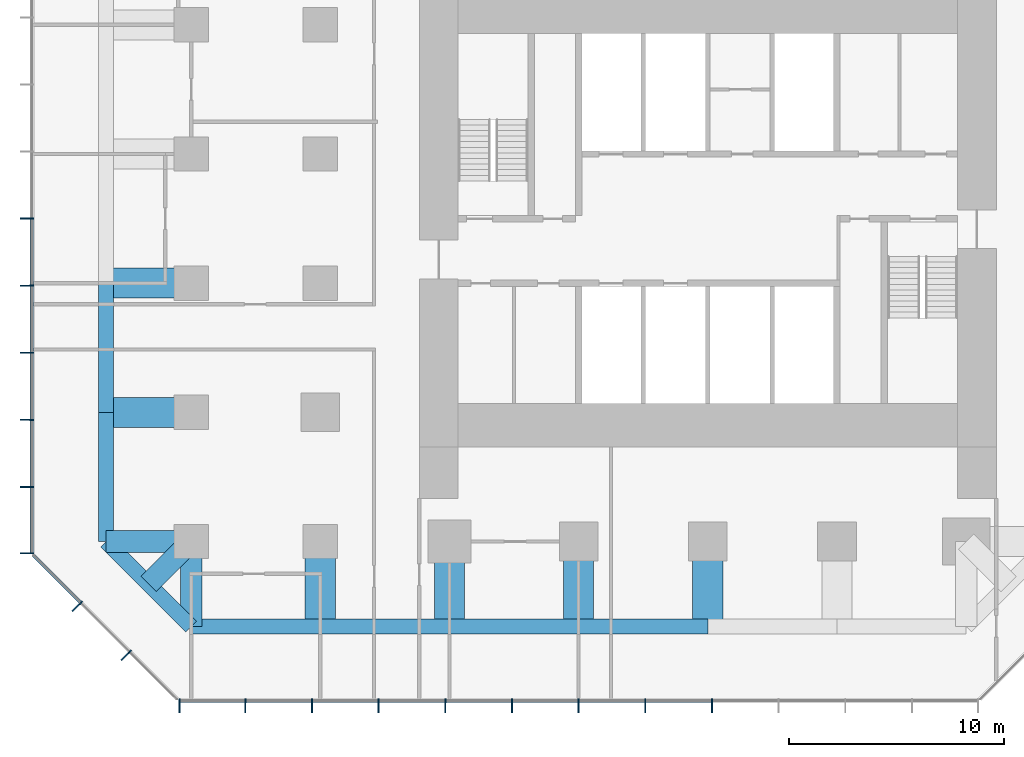
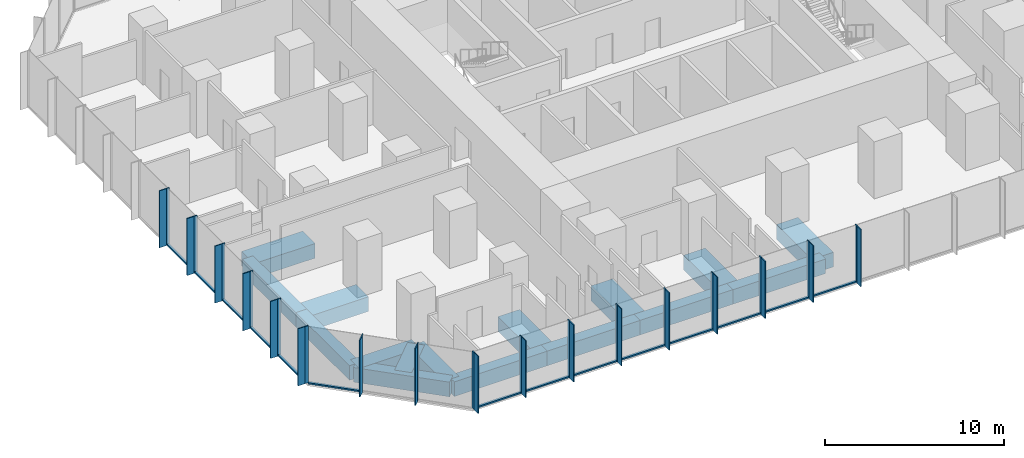
# One storey, part 2 of 11: 48 members, 16 beams, 3 elements without a shape of their own.
"""IFC4 building model written with IfcOpenShell, lengths in metres."""

from ifc_helpers import new_model, si_unit, direction, frame, origin, origin_2d, place, context, subcontext, project, spatial, rectangle, extrude, material, layer, layer_set, material_profile, profile_set, type_object, element, aggregate, save


model = new_model("IFC4")

# Units and contexts
model_context = context("Model", 3, precision=1e-05, world=origin(), true_north=direction((0.0, 1.0)))
body_context = subcontext(model_context, "Body", "Model", "MODEL_VIEW")
ifc_project = project(units=[si_unit("LENGTHUNIT", "METRE"), si_unit("AREAUNIT", "SQUARE_METRE"), si_unit("VOLUMEUNIT", "CUBIC_METRE"), si_unit("PLANEANGLEUNIT", "RADIAN"), si_unit("MASSUNIT", "GRAM", prefix="KILO")], contexts=[model_context])

# Site, building, storey
site_placement = place(None, origin())
site = spatial("IfcSite", under=ifc_project, at=site_placement, CompositionType="ELEMENT")
building_placement = place(site_placement, origin())
building = spatial("IfcBuilding", under=site, at=building_placement, Name="Highveld Stack Headquarters", CompositionType="ELEMENT")
storey_placement = place(building_placement, frame((0.0, 0.0, 132.800048828125)))
storey = spatial("IfcBuildingStorey", under=building, at=storey_placement, Name="L32", CompositionType="ELEMENT", Elevation=132.800048828125)

# Beams
ifc_material_1 = material(Name="Concrete C60/75", Category="concrete")
ifc_material_profile_1 = material_profile(ifc_material_1, rectangle(XDim=1.0, YDim=1.0, at=origin_2d()), Name="RC 1000x1000")
ifc_profile_set_1 = profile_set([ifc_material_profile_1], Name="Concrete C60/75")
beam_type_1 = type_object("IfcBeamType", Name="CANTILEVER RIB RC 1000x1000", PredefinedType="USERDEFINED", material=ifc_profile_set_1)
for number, where, z_axis, x_axis, name in (
    (1, (-18.0, -12.0, -0.75), (-1.0, 0.0, 0.0), (0.0, -1.0, 0.0), "Cantilever rib 3/C L32"),
    (2, (-18.0, -12.0, -0.75), (0.0, -1.0, 0.0), (1.0, 0.0, 0.0), "Cantilever rib 3/C L32"),
):
    element("IfcBeam", number, at=place(storey_placement, frame(where, z_axis=z_axis, x_axis=x_axis)), inside=storey, type_object=beam_type_1, Name=name, ObjectType="CANTILEVER RIB", PredefinedType="USERDEFINED", context=body_context, shape_type="SweptSolid", body=[
        extrude(rectangle(XDim=1.0, YDim=1.0, at=origin_2d()), origin(), (0.0, 0.0, 1.0), 3.949951171875),
    ])
beam_1_placement = place(storey_placement, frame((-18.0, -12.0, -0.75), z_axis=(-0.707106781187, -0.707106781187, 0.0), x_axis=(0.707106781187, -0.707106781187, 0.0)))
element("IfcBeam", 3, at=beam_1_placement, inside=storey, type_object=beam_type_1, Name="Cantilever rib 3/C L32", ObjectType="CANTILEVER RIB", PredefinedType="USERDEFINED", context=body_context, shape_type="SweptSolid", body=[
    extrude(rectangle(XDim=1.0, YDim=1.0, at=origin_2d()), origin(), (0.0, 0.0, 1.0), 2.793212890625),
])
ifc_material_2 = material(Name="Concrete C60/75", Category="concrete")
ifc_material_profile_2 = material_profile(ifc_material_2, rectangle(XDim=1.39990234375, YDim=1.0, at=origin_2d()), Name="RC 1400x1000")
ifc_profile_set_2 = profile_set([ifc_material_profile_2], Name="Concrete C60/75")
beam_type_2 = type_object("IfcBeamType", Name="CANTILEVER RIB RC 1400x1000", PredefinedType="USERDEFINED", material=ifc_profile_set_2)
for number, where, z_axis, x_axis, name in (
    (4, (-18.0, -6.0, -0.75), (-1.0, 0.0, 0.0), (0.0, -1.0, 0.0), "Cantilever rib 3/D L32"),
    (5, (-18.0, 0.0, -0.75), (-1.0, 0.0, 0.0), (0.0, -1.0, 0.0), "Cantilever rib 3/E L32"),
    (6, (-12.0, -12.0, -0.75), (0.0, -1.0, 0.0), (1.0, 0.0, 0.0), "Cantilever rib 4/C L32"),
    (7, (-6.0, -12.0, -0.75), (0.0, -1.0, 0.0), (1.0, 0.0, 0.0), "Cantilever rib 5/C L32"),
    (8, (0.0, -12.0, -0.75), (0.0, -1.0, 0.0), (1.0, 0.0, 0.0), "Cantilever rib 6/C L32"),
    (9, (6.0, -12.0, -0.75), (0.0, -1.0, 0.0), (1.0, 0.0, 0.0), "Cantilever rib 7/C L32"),
):
    element("IfcBeam", number, at=place(storey_placement, frame(where, z_axis=z_axis, x_axis=x_axis)), inside=storey, type_object=beam_type_2, Name=name, ObjectType="CANTILEVER RIB", PredefinedType="USERDEFINED", context=body_context, shape_type="SweptSolid", body=[
        extrude(rectangle(XDim=1.39990234375, YDim=1.0, at=origin_2d()), origin(), (0.0, 0.0, 1.0), 3.949951171875),
    ])

# Curtain wall, members
ifc_material_3 = material(Name="Aluminium bronze anodised", Category="aluminium")
ifc_layer_1 = layer(ifc_material_3, 0.199951171875)
ifc_layer_set_1 = layer_set([ifc_layer_1], Name="Aluminium bronze anodised")
curtain_wall_type_1 = type_object("IfcCurtainWallType", Name="CW1 TOWER UNITISED CURTAIN WALL", PredefinedType="NOTDEFINED", material=ifc_layer_set_1)
curtain_wall_1_placement = place(storey_placement, origin())
curtain_wall_1 = element("IfcCurtainWall", 10, at=curtain_wall_1_placement, inside=storey, type_object=curtain_wall_type_1, Name="Curtain wall CW1 L32 S", PredefinedType="NOTDEFINED")
ifc_material_4 = material(Name="Aluminium bronze anodised", Category="aluminium")
ifc_material_profile_3 = material_profile(ifc_material_4, rectangle(XDim=0.449951171875, YDim=0.06005859375, at=origin_2d()), Name="FIN 450x60")
ifc_profile_set_3 = profile_set([ifc_material_profile_3], Name="Aluminium bronze anodised")
member_type_1 = type_object("IfcMemberType", Name="CW1 BRONZE FIN 450x60", PredefinedType="USERDEFINED", material=ifc_profile_set_3)
member_1_placement = place(storey_placement, frame((-18.54736328125, -19.72509765625, 0.0), z_axis=(0.0, 0.0, 1.0), x_axis=(0.0, 1.0, 0.0)))
member_1 = element("IfcMember", 11, at=member_1_placement, type_object=member_type_1, Name="CW1 fin L32 1", ObjectType="FIN", PredefinedType="USERDEFINED", context=body_context, shape_type="SweptSolid", body=[
    extrude(rectangle(XDim=0.449951171875, YDim=0.06005859375, at=origin_2d()), origin(), (0.0, 0.0, 1.0), 3.89990234375),
])
member_2_placement = place(storey_placement, frame((-15.483154296875, -19.72509765625, 0.0), z_axis=(0.0, 0.0, 1.0), x_axis=(0.0, 1.0, 0.0)))
member_2 = element("IfcMember", 12, at=member_2_placement, type_object=member_type_1, Name="CW1 fin L32 2", ObjectType="FIN", PredefinedType="USERDEFINED", context=body_context, shape_type="SweptSolid", body=[
    extrude(rectangle(XDim=0.449951171875, YDim=0.06005859375, at=origin_2d()), origin(), (0.0, 0.0, 1.0), 3.89990234375),
])
member_3_placement = place(storey_placement, frame((-12.38671875, -19.72509765625, 0.0), z_axis=(0.0, 0.0, 1.0), x_axis=(0.0, 1.0, 0.0)))
member_3 = element("IfcMember", 13, at=member_3_placement, type_object=member_type_1, Name="CW1 fin L32 3", ObjectType="FIN", PredefinedType="USERDEFINED", context=body_context, shape_type="SweptSolid", body=[
    extrude(rectangle(XDim=0.449951171875, YDim=0.06005859375, at=origin_2d()), origin(), (0.0, 0.0, 1.0), 3.89990234375),
])
member_4_placement = place(storey_placement, frame((-9.289794921875, -19.72509765625, 0.0), z_axis=(0.0, 0.0, 1.0), x_axis=(0.0, 1.0, 0.0)))
member_4 = element("IfcMember", 14, at=member_4_placement, type_object=member_type_1, Name="CW1 fin L32 4", ObjectType="FIN", PredefinedType="USERDEFINED", context=body_context, shape_type="SweptSolid", body=[
    extrude(rectangle(XDim=0.449951171875, YDim=0.06005859375, at=origin_2d()), origin(), (0.0, 0.0, 1.0), 3.89990234375),
])
member_5_placement = place(storey_placement, frame((-6.193359375, -19.72509765625, 0.0), z_axis=(0.0, 0.0, 1.0), x_axis=(0.0, 1.0, 0.0)))
member_5 = element("IfcMember", 15, at=member_5_placement, type_object=member_type_1, Name="CW1 fin L32 5", ObjectType="FIN", PredefinedType="USERDEFINED", context=body_context, shape_type="SweptSolid", body=[
    extrude(rectangle(XDim=0.449951171875, YDim=0.06005859375, at=origin_2d()), origin(), (0.0, 0.0, 1.0), 3.89990234375),
])
member_6_placement = place(storey_placement, frame((-3.0966796875, -19.72509765625, 0.0), z_axis=(0.0, 0.0, 1.0), x_axis=(0.0, 1.0, 0.0)))
member_6 = element("IfcMember", 16, at=member_6_placement, type_object=member_type_1, Name="CW1 fin L32 6", ObjectType="FIN", PredefinedType="USERDEFINED", context=body_context, shape_type="SweptSolid", body=[
    extrude(rectangle(XDim=0.449951171875, YDim=0.06005859375, at=origin_2d()), origin(), (0.0, 0.0, 1.0), 3.89990234375),
])
member_7_placement = place(storey_placement, frame((0.0, -19.72509765625, 0.0), z_axis=(0.0, 0.0, 1.0), x_axis=(0.0, 1.0, 0.0)))
member_7 = element("IfcMember", 17, at=member_7_placement, type_object=member_type_1, Name="CW1 fin L32 7", ObjectType="FIN", PredefinedType="USERDEFINED", context=body_context, shape_type="SweptSolid", body=[
    extrude(rectangle(XDim=0.449951171875, YDim=0.06005859375, at=origin_2d()), origin(), (0.0, 0.0, 1.0), 3.89990234375),
])
member_8_placement = place(storey_placement, frame((3.0966796875, -19.72509765625, 0.0), z_axis=(0.0, 0.0, 1.0), x_axis=(0.0, 1.0, 0.0)))
member_8 = element("IfcMember", 18, at=member_8_placement, type_object=member_type_1, Name="CW1 fin L32 8", ObjectType="FIN", PredefinedType="USERDEFINED", context=body_context, shape_type="SweptSolid", body=[
    extrude(rectangle(XDim=0.449951171875, YDim=0.06005859375, at=origin_2d()), origin(), (0.0, 0.0, 1.0), 3.89990234375),
])
member_9_placement = place(storey_placement, frame((6.193359375, -19.72509765625, 0.0), z_axis=(0.0, 0.0, 1.0), x_axis=(0.0, 1.0, 0.0)))
member_9 = element("IfcMember", 19, at=member_9_placement, type_object=member_type_1, Name="CW1 fin L32 9", ObjectType="FIN", PredefinedType="USERDEFINED", context=body_context, shape_type="SweptSolid", body=[
    extrude(rectangle(XDim=0.449951171875, YDim=0.06005859375, at=origin_2d()), origin(), (0.0, 0.0, 1.0), 3.89990234375),
])

curtain_wall_2_placement = place(storey_placement, origin())
curtain_wall_2 = element("IfcCurtainWall", 20, at=curtain_wall_2_placement, inside=storey, type_object=curtain_wall_type_1, Name="Curtain wall CW1 L32 W", PredefinedType="NOTDEFINED")
member_10_placement = place(storey_placement, frame((-25.72509765625, 3.0, 0.0), z_axis=(0.0, 0.0, 1.0), x_axis=(1.0, 0.0, 0.0)))
member_10 = element("IfcMember", 21, at=member_10_placement, type_object=member_type_1, Name="CW1 fin L32 6", ObjectType="FIN", PredefinedType="USERDEFINED", context=body_context, shape_type="SweptSolid", body=[
    extrude(rectangle(XDim=0.449951171875, YDim=0.06005859375, at=origin_2d()), origin(), (0.0, 0.0, 1.0), 3.89990234375),
])
member_11_placement = place(storey_placement, frame((-25.72509765625, -0.115966796875, 0.0), z_axis=(0.0, 0.0, 1.0), x_axis=(1.0, 0.0, 0.0)))
member_11 = element("IfcMember", 22, at=member_11_placement, type_object=member_type_1, Name="CW1 fin L32 7", ObjectType="FIN", PredefinedType="USERDEFINED", context=body_context, shape_type="SweptSolid", body=[
    extrude(rectangle(XDim=0.449951171875, YDim=0.06005859375, at=origin_2d()), origin(), (0.0, 0.0, 1.0), 3.89990234375),
])
member_12_placement = place(storey_placement, frame((-25.72509765625, -3.23193359375, 0.0), z_axis=(0.0, 0.0, 1.0), x_axis=(1.0, 0.0, 0.0)))
member_12 = element("IfcMember", 23, at=member_12_placement, type_object=member_type_1, Name="CW1 fin L32 8", ObjectType="FIN", PredefinedType="USERDEFINED", context=body_context, shape_type="SweptSolid", body=[
    extrude(rectangle(XDim=0.449951171875, YDim=0.06005859375, at=origin_2d()), origin(), (0.0, 0.0, 1.0), 3.89990234375),
])
member_13_placement = place(storey_placement, frame((-25.72509765625, -6.347900390625, 0.0), z_axis=(0.0, 0.0, 1.0), x_axis=(1.0, 0.0, 0.0)))
member_13 = element("IfcMember", 24, at=member_13_placement, type_object=member_type_1, Name="CW1 fin L32 9", ObjectType="FIN", PredefinedType="USERDEFINED", context=body_context, shape_type="SweptSolid", body=[
    extrude(rectangle(XDim=0.449951171875, YDim=0.06005859375, at=origin_2d()), origin(), (0.0, 0.0, 1.0), 3.89990234375),
])
member_14_placement = place(storey_placement, frame((-25.72509765625, -9.4638671875, 0.0), z_axis=(0.0, 0.0, 1.0), x_axis=(1.0, 0.0, 0.0)))
member_14 = element("IfcMember", 25, at=member_14_placement, type_object=member_type_1, Name="CW1 fin L32 10", ObjectType="FIN", PredefinedType="USERDEFINED", context=body_context, shape_type="SweptSolid", body=[
    extrude(rectangle(XDim=0.449951171875, YDim=0.06005859375, at=origin_2d()), origin(), (0.0, 0.0, 1.0), 3.89990234375),
])
member_15_placement = place(storey_placement, frame((-25.72509765625, -12.54736328125, 0.0), z_axis=(0.0, 0.0, 1.0), x_axis=(1.0, 0.0, 0.0)))
member_15 = element("IfcMember", 26, at=member_15_placement, type_object=member_type_1, Name="CW1 fin L32 11", ObjectType="FIN", PredefinedType="USERDEFINED", context=body_context, shape_type="SweptSolid", body=[
    extrude(rectangle(XDim=0.449951171875, YDim=0.06005859375, at=origin_2d()), origin(), (0.0, 0.0, 1.0), 3.89990234375),
])

# Member
ifc_material_5 = material(Name="Aluminium bronze anodised", Category="aluminium")
ifc_material_profile_4 = material_profile(ifc_material_5, rectangle(XDim=0.199951171875, YDim=0.06494140625, at=origin_2d()), Name="CW1 MULLION 65x200")
ifc_profile_set_4 = profile_set([ifc_material_profile_4], Name="Aluminium bronze anodised")
member_type_2 = type_object("IfcMemberType", Name="CW1 MULLION 65x200", PredefinedType="MULLION", material=ifc_profile_set_4)
member_16_placement = place(storey_placement, frame((-18.54736328125, -19.39990234375, 0.0), z_axis=(0.0, 0.0, 1.0), x_axis=(0.0, 1.0, 0.0)))
member_16 = element("IfcMember", 27, at=member_16_placement, type_object=member_type_2, Name="CW1 mullion L32 1", PredefinedType="MULLION", context=body_context, shape_type="SweptSolid", body=[
    extrude(rectangle(XDim=0.199951171875, YDim=0.06494140625, at=origin_2d()), origin(), (0.0, 0.0, 1.0), 3.89990234375),
])

member_17_placement = place(storey_placement, frame((-15.483154296875, -19.39990234375, 0.0), z_axis=(0.0, 0.0, 1.0), x_axis=(0.0, 1.0, 0.0)))
member_17 = element("IfcMember", 28, at=member_17_placement, type_object=member_type_2, Name="CW1 mullion L32 2", PredefinedType="MULLION", context=body_context, shape_type="SweptSolid", body=[
    extrude(rectangle(XDim=0.199951171875, YDim=0.06494140625, at=origin_2d()), origin(), (0.0, 0.0, 1.0), 3.89990234375),
])

member_18_placement = place(storey_placement, frame((-12.38671875, -19.39990234375, 0.0), z_axis=(0.0, 0.0, 1.0), x_axis=(0.0, 1.0, 0.0)))
member_18 = element("IfcMember", 29, at=member_18_placement, type_object=member_type_2, Name="CW1 mullion L32 3", PredefinedType="MULLION", context=body_context, shape_type="SweptSolid", body=[
    extrude(rectangle(XDim=0.199951171875, YDim=0.06494140625, at=origin_2d()), origin(), (0.0, 0.0, 1.0), 3.89990234375),
])

member_19_placement = place(storey_placement, frame((-9.289794921875, -19.39990234375, 0.0), z_axis=(0.0, 0.0, 1.0), x_axis=(0.0, 1.0, 0.0)))
member_19 = element("IfcMember", 30, at=member_19_placement, type_object=member_type_2, Name="CW1 mullion L32 4", PredefinedType="MULLION", context=body_context, shape_type="SweptSolid", body=[
    extrude(rectangle(XDim=0.199951171875, YDim=0.06494140625, at=origin_2d()), origin(), (0.0, 0.0, 1.0), 3.89990234375),
])

member_20_placement = place(storey_placement, frame((-6.193359375, -19.39990234375, 0.0), z_axis=(0.0, 0.0, 1.0), x_axis=(0.0, 1.0, 0.0)))
member_20 = element("IfcMember", 31, at=member_20_placement, type_object=member_type_2, Name="CW1 mullion L32 5", PredefinedType="MULLION", context=body_context, shape_type="SweptSolid", body=[
    extrude(rectangle(XDim=0.199951171875, YDim=0.06494140625, at=origin_2d()), origin(), (0.0, 0.0, 1.0), 3.89990234375),
])

member_21_placement = place(storey_placement, frame((-3.0966796875, -19.39990234375, 0.0), z_axis=(0.0, 0.0, 1.0), x_axis=(0.0, 1.0, 0.0)))
member_21 = element("IfcMember", 32, at=member_21_placement, type_object=member_type_2, Name="CW1 mullion L32 6", PredefinedType="MULLION", context=body_context, shape_type="SweptSolid", body=[
    extrude(rectangle(XDim=0.199951171875, YDim=0.06494140625, at=origin_2d()), origin(), (0.0, 0.0, 1.0), 3.89990234375),
])

member_22_placement = place(storey_placement, frame((0.0, -19.39990234375, 0.0), z_axis=(0.0, 0.0, 1.0), x_axis=(0.0, 1.0, 0.0)))
member_22 = element("IfcMember", 33, at=member_22_placement, type_object=member_type_2, Name="CW1 mullion L32 7", PredefinedType="MULLION", context=body_context, shape_type="SweptSolid", body=[
    extrude(rectangle(XDim=0.199951171875, YDim=0.06494140625, at=origin_2d()), origin(), (0.0, 0.0, 1.0), 3.89990234375),
])

member_23_placement = place(storey_placement, frame((3.0966796875, -19.39990234375, 0.0), z_axis=(0.0, 0.0, 1.0), x_axis=(0.0, 1.0, 0.0)))
member_23 = element("IfcMember", 34, at=member_23_placement, type_object=member_type_2, Name="CW1 mullion L32 8", PredefinedType="MULLION", context=body_context, shape_type="SweptSolid", body=[
    extrude(rectangle(XDim=0.199951171875, YDim=0.06494140625, at=origin_2d()), origin(), (0.0, 0.0, 1.0), 3.89990234375),
])

member_24_placement = place(storey_placement, frame((6.193359375, -19.39990234375, 0.0), z_axis=(0.0, 0.0, 1.0), x_axis=(0.0, 1.0, 0.0)))
member_24 = element("IfcMember", 35, at=member_24_placement, type_object=member_type_2, Name="CW1 mullion L32 9", PredefinedType="MULLION", context=body_context, shape_type="SweptSolid", body=[
    extrude(rectangle(XDim=0.199951171875, YDim=0.06494140625, at=origin_2d()), origin(), (0.0, 0.0, 1.0), 3.89990234375),
])

member_25_placement = place(storey_placement, frame((-25.39990234375, 3.0, 0.0), z_axis=(0.0, 0.0, 1.0), x_axis=(1.0, 0.0, 0.0)))
member_25 = element("IfcMember", 36, at=member_25_placement, type_object=member_type_2, Name="CW1 mullion L32 6", PredefinedType="MULLION", context=body_context, shape_type="SweptSolid", body=[
    extrude(rectangle(XDim=0.199951171875, YDim=0.06494140625, at=origin_2d()), origin(), (0.0, 0.0, 1.0), 3.89990234375),
])

member_26_placement = place(storey_placement, frame((-25.39990234375, -0.115966796875, 0.0), z_axis=(0.0, 0.0, 1.0), x_axis=(1.0, 0.0, 0.0)))
member_26 = element("IfcMember", 37, at=member_26_placement, type_object=member_type_2, Name="CW1 mullion L32 7", PredefinedType="MULLION", context=body_context, shape_type="SweptSolid", body=[
    extrude(rectangle(XDim=0.199951171875, YDim=0.06494140625, at=origin_2d()), origin(), (0.0, 0.0, 1.0), 3.89990234375),
])

member_27_placement = place(storey_placement, frame((-25.39990234375, -3.23193359375, 0.0), z_axis=(0.0, 0.0, 1.0), x_axis=(1.0, 0.0, 0.0)))
member_27 = element("IfcMember", 38, at=member_27_placement, type_object=member_type_2, Name="CW1 mullion L32 8", PredefinedType="MULLION", context=body_context, shape_type="SweptSolid", body=[
    extrude(rectangle(XDim=0.199951171875, YDim=0.06494140625, at=origin_2d()), origin(), (0.0, 0.0, 1.0), 3.89990234375),
])

member_28_placement = place(storey_placement, frame((-25.39990234375, -6.347900390625, 0.0), z_axis=(0.0, 0.0, 1.0), x_axis=(1.0, 0.0, 0.0)))
member_28 = element("IfcMember", 39, at=member_28_placement, type_object=member_type_2, Name="CW1 mullion L32 9", PredefinedType="MULLION", context=body_context, shape_type="SweptSolid", body=[
    extrude(rectangle(XDim=0.199951171875, YDim=0.06494140625, at=origin_2d()), origin(), (0.0, 0.0, 1.0), 3.89990234375),
])

member_29_placement = place(storey_placement, frame((-25.39990234375, -9.4638671875, 0.0), z_axis=(0.0, 0.0, 1.0), x_axis=(1.0, 0.0, 0.0)))
member_29 = element("IfcMember", 40, at=member_29_placement, type_object=member_type_2, Name="CW1 mullion L32 10", PredefinedType="MULLION", context=body_context, shape_type="SweptSolid", body=[
    extrude(rectangle(XDim=0.199951171875, YDim=0.06494140625, at=origin_2d()), origin(), (0.0, 0.0, 1.0), 3.89990234375),
])

member_30_placement = place(storey_placement, frame((-25.39990234375, -12.54736328125, 0.0), z_axis=(0.0, 0.0, 1.0), x_axis=(1.0, 0.0, 0.0)))
member_30 = element("IfcMember", 41, at=member_30_placement, type_object=member_type_2, Name="CW1 mullion L32 11", PredefinedType="MULLION", context=body_context, shape_type="SweptSolid", body=[
    extrude(rectangle(XDim=0.199951171875, YDim=0.06494140625, at=origin_2d()), origin(), (0.0, 0.0, 1.0), 3.89990234375),
])

ifc_material_6 = material(Name="Aluminium bronze anodised", Category="aluminium")
ifc_material_profile_5 = material_profile(ifc_material_6, rectangle(XDim=0.14990234375, YDim=0.10009765625, at=origin_2d()), Name="CW1 TRANSOM 150x100")
ifc_profile_set_5 = profile_set([ifc_material_profile_5], Name="Aluminium bronze anodised")
member_type_3 = type_object("IfcMemberType", Name="CW1 STACK TRANSOM 150x100", PredefinedType="USERDEFINED", material=ifc_profile_set_5)
member_31_placement = place(storey_placement, frame((-18.514892578125, -19.39990234375, 0.050048828125), z_axis=(1.0, 0.0, 0.0), x_axis=(0.0, 1.0, 0.0)))
member_31 = element("IfcMember", 42, at=member_31_placement, type_object=member_type_3, Name="CW1 transom L32 1.1", ObjectType="TRANSOM", PredefinedType="USERDEFINED", context=body_context, shape_type="SweptSolid", body=[
    extrude(rectangle(XDim=0.14990234375, YDim=0.10009765625, at=origin_2d()), origin(), (0.0, 0.0, 1.0), 2.999267578125),
])

member_32_placement = place(storey_placement, frame((-15.45068359375, -19.39990234375, 0.050048828125), z_axis=(1.0, 0.0, 0.0), x_axis=(0.0, 1.0, 0.0)))
member_32 = element("IfcMember", 43, at=member_32_placement, type_object=member_type_3, Name="CW1 transom L32 2.1", ObjectType="TRANSOM", PredefinedType="USERDEFINED", context=body_context, shape_type="SweptSolid", body=[
    extrude(rectangle(XDim=0.14990234375, YDim=0.10009765625, at=origin_2d()), origin(), (0.0, 0.0, 1.0), 3.031494140625),
])

member_33_placement = place(storey_placement, frame((-12.35400390625, -19.39990234375, 0.050048828125), z_axis=(1.0, 0.0, 0.0), x_axis=(0.0, 1.0, 0.0)))
member_33 = element("IfcMember", 44, at=member_33_placement, type_object=member_type_3, Name="CW1 transom L32 3.1", ObjectType="TRANSOM", PredefinedType="USERDEFINED", context=body_context, shape_type="SweptSolid", body=[
    extrude(rectangle(XDim=0.14990234375, YDim=0.10009765625, at=origin_2d()), origin(), (0.0, 0.0, 1.0), 3.031494140625),
])

member_34_placement = place(storey_placement, frame((-9.25732421875, -19.39990234375, 0.050048828125), z_axis=(1.0, 0.0, 0.0), x_axis=(0.0, 1.0, 0.0)))
member_34 = element("IfcMember", 45, at=member_34_placement, type_object=member_type_3, Name="CW1 transom L32 4.1", ObjectType="TRANSOM", PredefinedType="USERDEFINED", context=body_context, shape_type="SweptSolid", body=[
    extrude(rectangle(XDim=0.14990234375, YDim=0.10009765625, at=origin_2d()), origin(), (0.0, 0.0, 1.0), 3.031494140625),
])

member_35_placement = place(storey_placement, frame((-6.160888671875, -19.39990234375, 0.050048828125), z_axis=(1.0, 0.0, 0.0), x_axis=(0.0, 1.0, 0.0)))
member_35 = element("IfcMember", 46, at=member_35_placement, type_object=member_type_3, Name="CW1 transom L32 5.1", ObjectType="TRANSOM", PredefinedType="USERDEFINED", context=body_context, shape_type="SweptSolid", body=[
    extrude(rectangle(XDim=0.14990234375, YDim=0.10009765625, at=origin_2d()), origin(), (0.0, 0.0, 1.0), 3.03173828125),
])

member_36_placement = place(storey_placement, frame((-3.064208984375, -19.39990234375, 0.050048828125), z_axis=(1.0, 0.0, 0.0), x_axis=(0.0, 1.0, 0.0)))
member_36 = element("IfcMember", 47, at=member_36_placement, type_object=member_type_3, Name="CW1 transom L32 6.1", ObjectType="TRANSOM", PredefinedType="USERDEFINED", context=body_context, shape_type="SweptSolid", body=[
    extrude(rectangle(XDim=0.14990234375, YDim=0.10009765625, at=origin_2d()), origin(), (0.0, 0.0, 1.0), 3.03173828125),
])

member_37_placement = place(storey_placement, frame((0.032470703125, -19.39990234375, 0.050048828125), z_axis=(1.0, 0.0, 0.0), x_axis=(0.0, 1.0, 0.0)))
member_37 = element("IfcMember", 48, at=member_37_placement, type_object=member_type_3, Name="CW1 transom L32 7.1", ObjectType="TRANSOM", PredefinedType="USERDEFINED", context=body_context, shape_type="SweptSolid", body=[
    extrude(rectangle(XDim=0.14990234375, YDim=0.10009765625, at=origin_2d()), origin(), (0.0, 0.0, 1.0), 3.03173828125),
])

member_38_placement = place(storey_placement, frame((3.129150390625, -19.39990234375, 0.050048828125), z_axis=(1.0, 0.0, 0.0), x_axis=(0.0, 1.0, 0.0)))
member_38 = element("IfcMember", 49, at=member_38_placement, type_object=member_type_3, Name="CW1 transom L32 8.1", ObjectType="TRANSOM", PredefinedType="USERDEFINED", context=body_context, shape_type="SweptSolid", body=[
    extrude(rectangle(XDim=0.14990234375, YDim=0.10009765625, at=origin_2d()), origin(), (0.0, 0.0, 1.0), 3.03173828125),
])

aggregate(curtain_wall_1, [member_16, member_1, member_17, member_2, member_18, member_3, member_19, member_4, member_20, member_5, member_21, member_6, member_22, member_7, member_23, member_8, member_24, member_9, member_31, member_32, member_33, member_34, member_35, member_36, member_37, member_38])

member_39_placement = place(storey_placement, frame((-25.39990234375, 2.967529296875, 0.050048828125), z_axis=(0.0, -1.0, 0.0), x_axis=(1.0, 0.0, 0.0)))
member_39 = element("IfcMember", 50, at=member_39_placement, type_object=member_type_3, Name="CW1 transom L32 6.1", ObjectType="TRANSOM", PredefinedType="USERDEFINED", context=body_context, shape_type="SweptSolid", body=[
    extrude(rectangle(XDim=0.14990234375, YDim=0.10009765625, at=origin_2d()), origin(), (0.0, 0.0, 1.0), 3.051025390625),
])

member_40_placement = place(storey_placement, frame((-25.39990234375, -0.1484375, 0.050048828125), z_axis=(0.0, -1.0, 0.0), x_axis=(1.0, 0.0, 0.0)))
member_40 = element("IfcMember", 51, at=member_40_placement, type_object=member_type_3, Name="CW1 transom L32 7.1", ObjectType="TRANSOM", PredefinedType="USERDEFINED", context=body_context, shape_type="SweptSolid", body=[
    extrude(rectangle(XDim=0.14990234375, YDim=0.10009765625, at=origin_2d()), origin(), (0.0, 0.0, 1.0), 3.051025390625),
])

member_41_placement = place(storey_placement, frame((-25.39990234375, -3.264404296875, 0.050048828125), z_axis=(0.0, -1.0, 0.0), x_axis=(1.0, 0.0, 0.0)))
member_41 = element("IfcMember", 52, at=member_41_placement, type_object=member_type_3, Name="CW1 transom L32 8.1", ObjectType="TRANSOM", PredefinedType="USERDEFINED", context=body_context, shape_type="SweptSolid", body=[
    extrude(rectangle(XDim=0.14990234375, YDim=0.10009765625, at=origin_2d()), origin(), (0.0, 0.0, 1.0), 3.051025390625),
])

member_42_placement = place(storey_placement, frame((-25.39990234375, -6.38037109375, 0.050048828125), z_axis=(0.0, -1.0, 0.0), x_axis=(1.0, 0.0, 0.0)))
member_42 = element("IfcMember", 53, at=member_42_placement, type_object=member_type_3, Name="CW1 transom L32 9.1", ObjectType="TRANSOM", PredefinedType="USERDEFINED", context=body_context, shape_type="SweptSolid", body=[
    extrude(rectangle(XDim=0.14990234375, YDim=0.10009765625, at=origin_2d()), origin(), (0.0, 0.0, 1.0), 3.051025390625),
])

member_43_placement = place(storey_placement, frame((-25.39990234375, -9.496337890625, 0.050048828125), z_axis=(0.0, -1.0, 0.0), x_axis=(1.0, 0.0, 0.0)))
member_43 = element("IfcMember", 54, at=member_43_placement, type_object=member_type_3, Name="CW1 transom L32 10.1", ObjectType="TRANSOM", PredefinedType="USERDEFINED", context=body_context, shape_type="SweptSolid", body=[
    extrude(rectangle(XDim=0.14990234375, YDim=0.10009765625, at=origin_2d()), origin(), (0.0, 0.0, 1.0), 3.0185546875),
])

aggregate(curtain_wall_2, [member_25, member_10, member_26, member_11, member_27, member_12, member_28, member_13, member_29, member_14, member_30, member_15, member_39, member_40, member_41, member_42, member_43])

# Curtain wall, members
ifc_material_7 = material(Name="Aluminium bronze anodised", Category="aluminium")
ifc_layer_2 = layer(ifc_material_7, 0.199951171875)
ifc_layer_set_2 = layer_set([ifc_layer_2], Name="Aluminium bronze anodised")
curtain_wall_type_2 = type_object("IfcCurtainWallType", Name="CW2 TOWER CHAMFER UNITISED CURTAIN WALL", PredefinedType="NOTDEFINED", material=ifc_layer_set_2)
curtain_wall_3_placement = place(storey_placement, origin())
curtain_wall_3 = element("IfcCurtainWall", 55, at=curtain_wall_3_placement, inside=storey, type_object=curtain_wall_type_2, Name="Curtain wall CW2 L32 SW", PredefinedType="NOTDEFINED")
ifc_material_8 = material(Name="Aluminium bronze anodised", Category="aluminium")
ifc_material_profile_6 = material_profile(ifc_material_8, rectangle(XDim=0.449951171875, YDim=0.06005859375, at=origin_2d()), Name="FIN 450x60")
ifc_profile_set_6 = profile_set([ifc_material_profile_6], Name="Aluminium bronze anodised")
member_type_4 = type_object("IfcMemberType", Name="CW2 BRONZE FIN 450x60", PredefinedType="USERDEFINED", material=ifc_profile_set_6)
member_44_placement = place(storey_placement, frame((-23.3564453125, -15.0830078125, 0.0), z_axis=(0.0, 0.0, 1.0), x_axis=(0.707106781187, 0.707106781187, 0.0)))
member_44 = element("IfcMember", 56, at=member_44_placement, type_object=member_type_4, Name="CW2 fin L32 1", ObjectType="FIN", PredefinedType="USERDEFINED", context=body_context, shape_type="SweptSolid", body=[
    extrude(rectangle(XDim=0.449951171875, YDim=0.06005859375, at=origin_2d()), origin(), (0.0, 0.0, 1.0), 3.89990234375),
])
member_45_placement = place(storey_placement, frame((-21.0830078125, -17.3564453125, 0.0), z_axis=(0.0, 0.0, 1.0), x_axis=(0.707106781187, 0.707106781187, 0.0)))
member_45 = element("IfcMember", 57, at=member_45_placement, type_object=member_type_4, Name="CW2 fin L32 2", ObjectType="FIN", PredefinedType="USERDEFINED", context=body_context, shape_type="SweptSolid", body=[
    extrude(rectangle(XDim=0.449951171875, YDim=0.06005859375, at=origin_2d()), origin(), (0.0, 0.0, 1.0), 3.89990234375),
])
ifc_material_9 = material(Name="Aluminium bronze anodised", Category="aluminium")
ifc_material_profile_7 = material_profile(ifc_material_9, rectangle(XDim=0.199951171875, YDim=0.06494140625, at=origin_2d()), Name="CW2 MULLION 65x200")
ifc_profile_set_7 = profile_set([ifc_material_profile_7], Name="Aluminium bronze anodised")
member_type_5 = type_object("IfcMemberType", Name="CW2 MULLION 65x200", PredefinedType="MULLION", material=ifc_profile_set_7)
member_46_placement = place(storey_placement, frame((-23.126708984375, -14.853271484375, 0.0), z_axis=(0.0, 0.0, 1.0), x_axis=(0.707106781187, 0.707106781187, 0.0)))
member_46 = element("IfcMember", 58, at=member_46_placement, type_object=member_type_5, Name="CW2 mullion L32 1", PredefinedType="MULLION", context=body_context, shape_type="SweptSolid", body=[
    extrude(rectangle(XDim=0.199951171875, YDim=0.06494140625, at=origin_2d()), origin(), (0.0, 0.0, 1.0), 3.89990234375),
])
member_47_placement = place(storey_placement, frame((-20.853271484375, -17.126708984375, 0.0), z_axis=(0.0, 0.0, 1.0), x_axis=(0.707106781187, 0.707106781187, 0.0)))
member_47 = element("IfcMember", 59, at=member_47_placement, type_object=member_type_5, Name="CW2 mullion L32 2", PredefinedType="MULLION", context=body_context, shape_type="SweptSolid", body=[
    extrude(rectangle(XDim=0.199951171875, YDim=0.06494140625, at=origin_2d()), origin(), (0.0, 0.0, 1.0), 3.89990234375),
])
ifc_material_10 = material(Name="Aluminium bronze anodised", Category="aluminium")
ifc_material_profile_8 = material_profile(ifc_material_10, rectangle(XDim=0.14990234375, YDim=0.10009765625, at=origin_2d()), Name="CW2 TRANSOM 150x100")
ifc_profile_set_8 = profile_set([ifc_material_profile_8], Name="Aluminium bronze anodised")
member_type_6 = type_object("IfcMemberType", Name="CW2 STACK TRANSOM 150x100", PredefinedType="USERDEFINED", material=ifc_profile_set_8)
member_48_placement = place(storey_placement, frame((-25.329345703125, -12.650634765625, 0.050048828125), z_axis=(0.707106781187, -0.707106781187, 0.0), x_axis=(0.707106781187, 0.707106781187, 0.0)))
member_48 = element("IfcMember", 60, at=member_48_placement, type_object=member_type_6, Name="CW2 transom L32 1.1", ObjectType="TRANSOM", PredefinedType="USERDEFINED", context=body_context, shape_type="SweptSolid", body=[
    extrude(rectangle(XDim=0.14990234375, YDim=0.10009765625, at=origin_2d()), origin(), (0.0, 0.0, 1.0), 3.08251953125),
])
aggregate(curtain_wall_3, [member_46, member_44, member_47, member_45, member_48])

# Beams
ifc_material_11 = material(Name="Concrete C60/75", Category="concrete")
ifc_material_profile_9 = material_profile(ifc_material_11, rectangle(XDim=0.699951171875, YDim=1.0, at=origin_2d()), Name="RC 700x1000")
ifc_profile_set_9 = profile_set([ifc_material_profile_9], Name="Concrete C60/75")
beam_type_3 = type_object("IfcBeamType", Name="RIB TIP BEAM RC 700x1000", PredefinedType="SPANDREL", material=ifc_profile_set_9)
for number, where, z_axis, x_axis, name in (
    (61, (-21.949951171875, -12.0, -0.75), (0.0, 1.0, 0.0), (-1.0, 0.0, 0.0), "Rib tip beam 3/C to 3/D L32"),
    (62, (-21.949951171875, -6.0, -0.75), (0.0, 1.0, 0.0), (-1.0, 0.0, 0.0), "Rib tip beam 3/D to 3/E L32"),
    (63, (-18.0, -15.949951171875, -0.75), (1.0, 0.0, 0.0), (0.0, 1.0, 0.0), "Rib tip beam 3/C to 4/C L32"),
    (64, (-12.0, -15.949951171875, -0.75), (1.0, 0.0, 0.0), (0.0, 1.0, 0.0), "Rib tip beam 4/C to 5/C L32"),
    (65, (-6.0, -15.949951171875, -0.75), (1.0, 0.0, 0.0), (0.0, 1.0, 0.0), "Rib tip beam 5/C to 6/C L32"),
    (66, (0.0, -15.949951171875, -0.75), (1.0, 0.0, 0.0), (0.0, 1.0, 0.0), "Rib tip beam 6/C to 7/C L32"),
):
    element("IfcBeam", number, at=place(storey_placement, frame(where, z_axis=z_axis, x_axis=x_axis)), inside=storey, type_object=beam_type_3, Name=name, PredefinedType="SPANDREL", context=body_context, shape_type="SweptSolid", body=[
        extrude(rectangle(XDim=0.699951171875, YDim=1.0, at=origin_2d()), origin(), (0.0, 0.0, 1.0), 6.0),
    ])
beam_2_placement = place(storey_placement, frame((-21.949951171875, -12.0, -0.75), z_axis=(0.707106781187, -0.707106781187, 0.0), x_axis=(0.707106781187, 0.707106781187, 0.0)))
element("IfcBeam", 67, at=beam_2_placement, inside=storey, type_object=beam_type_3, Name="Rib tip beam 3/C corner L32", PredefinedType="SPANDREL", context=body_context, shape_type="SweptSolid", body=[
    extrude(rectangle(XDim=0.699951171875, YDim=1.0, at=origin_2d()), origin(), (0.0, 0.0, 1.0), 5.586181640625),
])

save(model, "model.ifc")
